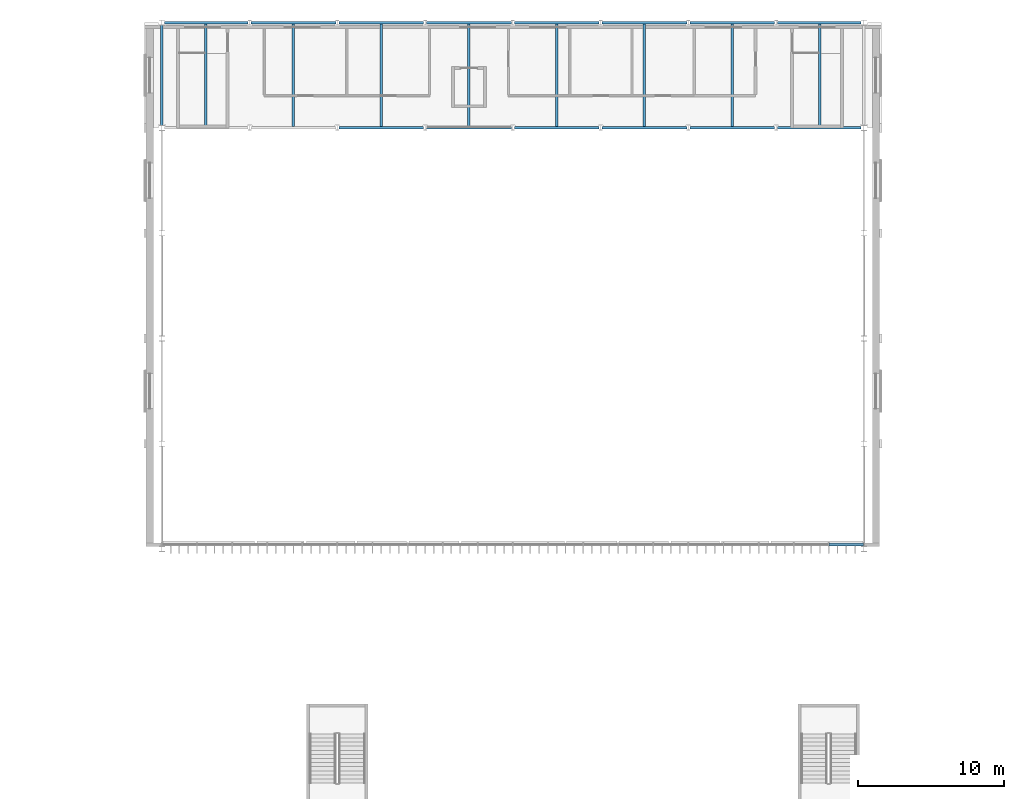
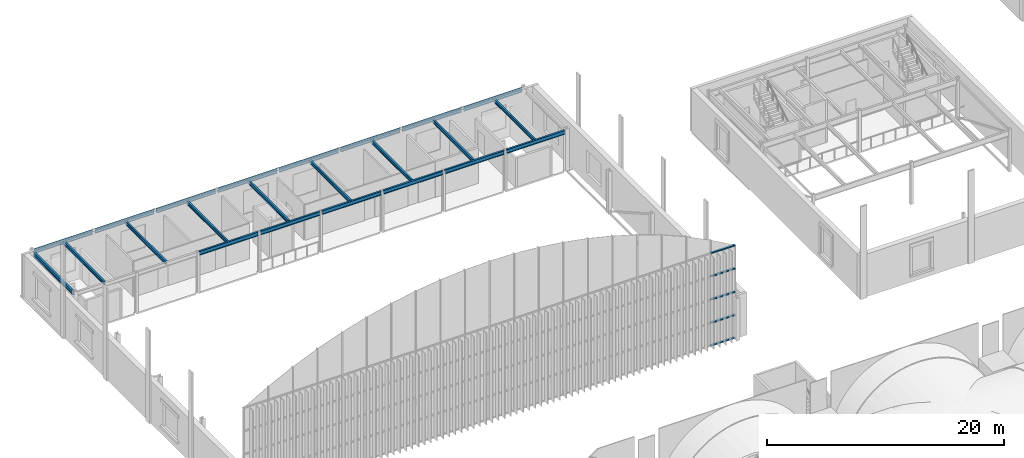
# One storey, part 46 of 169: 23 beams, 5 members, 1 element without a shape of its own.
"""IFC4 building model written with IfcOpenShell, lengths in metres."""

from ifc_helpers import new_model, si_unit, direction, frame, origin, origin_2d, place, context, subcontext, project, spatial, rectangle, i_section, extrude, material, layer, layer_set, material_profile, profile_set, type_object, element, aggregate, save


model = new_model("IFC4")

# Units and contexts
model_context = context("Model", 3, precision=1e-05, world=origin(), true_north=direction((0.0, 1.0)))
body_context = subcontext(model_context, "Body", "Model", "MODEL_VIEW")
ifc_project = project(units=[si_unit("LENGTHUNIT", "METRE"), si_unit("AREAUNIT", "SQUARE_METRE"), si_unit("VOLUMEUNIT", "CUBIC_METRE"), si_unit("PLANEANGLEUNIT", "RADIAN"), si_unit("MASSUNIT", "GRAM", prefix="KILO")], contexts=[model_context])

# Site, building, storey
site_placement = place(None, origin())
site = spatial("IfcSite", under=ifc_project, at=site_placement, CompositionType="ELEMENT")
building_placement = place(site_placement, origin())
building = spatial("IfcBuilding", under=site, at=building_placement, Name="Verrick Yard Athletic Hall", CompositionType="ELEMENT")
storey_placement = place(building_placement, frame((0.0, 0.0, 4.39990234375)))
storey = spatial("IfcBuildingStorey", under=building, at=storey_placement, Name="L01", CompositionType="ELEMENT", Elevation=4.39990234375)

# Curtain wall, members
ifc_material_1 = material(Name="Anodised aluminium", Category="aluminium")
ifc_layer = layer(ifc_material_1, 0.199951171875)
ifc_layer_set = layer_set([ifc_layer], Name="Gable glazing")
curtain_wall_type = type_object("IfcCurtainWallType", Name="Gable glazing", PredefinedType="NOTDEFINED", material=ifc_layer_set)
curtain_wall_placement = place(storey_placement, origin())
curtain_wall = element("IfcCurtainWall", 1, at=curtain_wall_placement, inside=storey, type_object=curtain_wall_type, Name="Gable curtain wall BS", PredefinedType="NOTDEFINED")
ifc_material_profile_1 = material_profile(ifc_material_1, rectangle(XDim=0.199951171875, YDim=0.1201171875, at=origin_2d()), Name="CW gable transom 200x120")
ifc_profile_set_1 = profile_set([ifc_material_profile_1], Name="Anodised aluminium")
member_type = type_object("IfcMemberType", Name="Gable glazing transom 200x120", PredefinedType="USERDEFINED", material=ifc_profile_set_1)
member_1_placement = place(storey_placement, frame((73.6298828125, 72.318359375, 0.06005859375), z_axis=(1.0, 0.0, 0.0), x_axis=(0.0, 1.0, 0.0)))
member_1 = element("IfcMember", 2, at=member_1_placement, type_object=member_type, Name="ENVB-HBS-CW/T19-00", ObjectType="TRANSOM", PredefinedType="USERDEFINED", context=body_context, shape_type="SweptSolid", body=[
    extrude(rectangle(XDim=0.199951171875, YDim=0.1201171875, at=origin_2d()), origin(), (0.0, 0.0, 1.0), 2.340087890625),
])
member_2_placement = place(storey_placement, frame((73.6298828125, 72.318359375, 2.400146484375), z_axis=(1.0, 0.0, 0.0), x_axis=(0.0, 1.0, 0.0)))
member_2 = element("IfcMember", 3, at=member_2_placement, type_object=member_type, Name="ENVB-HBS-CW/T19-01", ObjectType="TRANSOM", PredefinedType="USERDEFINED", context=body_context, shape_type="SweptSolid", body=[
    extrude(rectangle(XDim=0.199951171875, YDim=0.1201171875, at=origin_2d()), origin(), (0.0, 0.0, 1.0), 2.340087890625),
])
member_3_placement = place(storey_placement, frame((73.6298828125, 72.318359375, 4.800048828125), z_axis=(1.0, 0.0, 0.0), x_axis=(0.0, 1.0, 0.0)))
member_3 = element("IfcMember", 4, at=member_3_placement, type_object=member_type, Name="ENVB-HBS-CW/T19-02", ObjectType="TRANSOM", PredefinedType="USERDEFINED", context=body_context, shape_type="SweptSolid", body=[
    extrude(rectangle(XDim=0.199951171875, YDim=0.1201171875, at=origin_2d()), origin(), (0.0, 0.0, 1.0), 2.340087890625),
])
member_4_placement = place(storey_placement, frame((73.6298828125, 72.318359375, 7.2001953125), z_axis=(1.0, 0.0, 0.0), x_axis=(0.0, 1.0, 0.0)))
member_4 = element("IfcMember", 5, at=member_4_placement, type_object=member_type, Name="ENVB-HBS-CW/T19-03", ObjectType="TRANSOM", PredefinedType="USERDEFINED", context=body_context, shape_type="SweptSolid", body=[
    extrude(rectangle(XDim=0.199951171875, YDim=0.1201171875, at=origin_2d()), origin(), (0.0, 0.0, 1.0), 2.340087890625),
])
member_5_placement = place(storey_placement, frame((73.6298828125, 72.318359375, 9.60009765625), z_axis=(1.0, 0.0, 0.0), x_axis=(0.0, 1.0, 0.0)))
member_5 = element("IfcMember", 6, at=member_5_placement, type_object=member_type, Name="ENVB-HBS-CW/T19-04", ObjectType="TRANSOM", PredefinedType="USERDEFINED", context=body_context, shape_type="SweptSolid", body=[
    extrude(rectangle(XDim=0.199951171875, YDim=0.1201171875, at=origin_2d()), origin(), (0.0, 0.0, 1.0), 2.340087890625),
])
aggregate(curtain_wall, [member_1, member_2, member_3, member_4, member_5])

# Beams
ifc_material_2 = material(Name="Structural steel 350W (CSA G40.21)", Category="steel")
ifc_material_profile_2 = material_profile(ifc_material_2, i_section(OverallWidth=0.177978515625, OverallDepth=0.406982421875, WebThickness=0.0078125, FlangeThickness=0.0126953125, at=origin_2d()), Name="W410x60")
ifc_profile_set_2 = profile_set([ifc_material_profile_2], Name="Structural steel 350W (CSA G40.21)")
beam_type_1 = type_object("IfcBeamType", Name="HB girder W410x60", PredefinedType="BEAM", material=ifc_profile_set_2)
for number, where, z_axis, x_axis, name in (
    (7, (40.1025390625, 100.800048828125, 4.046630859375), (1.0, 0.0, 0.0), (0.0, 1.0, 0.0), "HB-GB-B-RF-S3"),
    (8, (46.1025390625, 100.800048828125, 4.046630859375), (1.0, 0.0, 0.0), (0.0, 1.0, 0.0), "HB-GB-B-RF-S4"),
    (9, (52.1025390625, 100.800048828125, 4.046630859375), (1.0, 0.0, 0.0), (0.0, 1.0, 0.0), "HB-GB-B-RF-S5"),
    (10, (58.1025390625, 100.800048828125, 4.046630859375), (1.0, 0.0, 0.0), (0.0, 1.0, 0.0), "HB-GB-B-RF-S6"),
    (11, (64.1025390625, 100.800048828125, 4.046630859375), (1.0, 0.0, 0.0), (0.0, 1.0, 0.0), "HB-GB-B-RF-S7"),
):
    element("IfcBeam", number, at=place(storey_placement, frame(where, z_axis=z_axis, x_axis=x_axis)), inside=storey, type_object=beam_type_1, Name=name, PredefinedType="BEAM", context=body_context, shape_type="SweptSolid", body=[
        extrude(i_section(OverallWidth=0.177978515625, OverallDepth=0.406982421875, WebThickness=0.0078125, FlangeThickness=0.0126953125, at=origin_2d()), origin(), (0.0, 0.0, 1.0), 5.794921875),
    ])
for number, where, z_axis, x_axis, name in (
    (12, (70.1025390625, 100.800048828125, 4.046630859375), (1.0, 0.0, 0.0), (0.0, 1.0, 0.0), "HB-GB-B-RF-S8"),
    (13, (28.1845703125, 108.0, 4.046630859375), (1.0, 0.0, 0.0), (0.0, 1.0, 0.0), "HB-GB-B-RF-N1"),
):
    element("IfcBeam", number, at=place(storey_placement, frame(where, z_axis=z_axis, x_axis=x_axis)), inside=storey, type_object=beam_type_1, Name=name, PredefinedType="BEAM", context=body_context, shape_type="SweptSolid", body=[
        extrude(i_section(OverallWidth=0.177978515625, OverallDepth=0.406982421875, WebThickness=0.0078125, FlangeThickness=0.0126953125, at=origin_2d()), origin(), (0.0, 0.0, 1.0), 5.712890625),
    ])
for number, where, z_axis, x_axis, name in (
    (14, (34.1025390625, 108.0, 4.046630859375), (1.0, 0.0, 0.0), (0.0, 1.0, 0.0), "HB-GB-B-RF-N2"),
    (15, (40.1025390625, 108.0, 4.046630859375), (1.0, 0.0, 0.0), (0.0, 1.0, 0.0), "HB-GB-B-RF-N3"),
    (16, (46.1025390625, 108.0, 4.046630859375), (1.0, 0.0, 0.0), (0.0, 1.0, 0.0), "HB-GB-B-RF-N4"),
    (17, (52.1025390625, 108.0, 4.046630859375), (1.0, 0.0, 0.0), (0.0, 1.0, 0.0), "HB-GB-B-RF-N5"),
    (18, (58.1025390625, 108.0, 4.046630859375), (1.0, 0.0, 0.0), (0.0, 1.0, 0.0), "HB-GB-B-RF-N6"),
    (19, (64.1025390625, 108.0, 4.046630859375), (1.0, 0.0, 0.0), (0.0, 1.0, 0.0), "HB-GB-B-RF-N7"),
):
    element("IfcBeam", number, at=place(storey_placement, frame(where, z_axis=z_axis, x_axis=x_axis)), inside=storey, type_object=beam_type_1, Name=name, PredefinedType="BEAM", context=body_context, shape_type="SweptSolid", body=[
        extrude(i_section(OverallWidth=0.177978515625, OverallDepth=0.406982421875, WebThickness=0.0078125, FlangeThickness=0.0126953125, at=origin_2d()), origin(), (0.0, 0.0, 1.0), 5.794921875),
    ])
beam_1_placement = place(storey_placement, frame((70.1025390625, 108.0, 4.046630859375), z_axis=(1.0, 0.0, 0.0), x_axis=(0.0, 1.0, 0.0)))
element("IfcBeam", 20, at=beam_1_placement, inside=storey, type_object=beam_type_1, Name="HB-GB-B-RF-N8", PredefinedType="BEAM", context=body_context, shape_type="SweptSolid", body=[
    extrude(i_section(OverallWidth=0.177978515625, OverallDepth=0.406982421875, WebThickness=0.0078125, FlangeThickness=0.0126953125, at=origin_2d()), origin(), (0.0, 0.0, 1.0), 5.712890625),
])
beam_2_placement = place(storey_placement, frame((28.0, 100.97802734375, 4.046630859375), z_axis=(0.0, 1.0, 0.0), x_axis=(-1.0, 0.0, 0.0)))
element("IfcBeam", 21, at=beam_2_placement, inside=storey, type_object=beam_type_1, Name="HB-EB-B-RF-W", PredefinedType="BEAM", context=body_context, shape_type="SweptSolid", body=[
    extrude(i_section(OverallWidth=0.177978515625, OverallDepth=0.406982421875, WebThickness=0.0078125, FlangeThickness=0.0126953125, at=origin_2d()), origin(), (0.0, 0.0, 1.0), 6.843994140625),
])
ifc_material_profile_3 = material_profile(ifc_material_2, i_section(OverallWidth=0.1708984375, OverallDepth=0.35498046875, WebThickness=0.007080078125, FlangeThickness=0.01171875, at=origin_2d()), Name="W360x51")
ifc_profile_set_3 = profile_set([ifc_material_profile_3], Name="Structural steel 350W (CSA G40.21)")
beam_type_2 = type_object("IfcBeamType", Name="HB secondary beam W360x51", PredefinedType="JOIST", material=ifc_profile_set_3)
for number, where, z_axis, x_axis, name in (
    (22, (31.0, 100.888916015625, 4.072509765625), (0.0, 1.0, 0.0), (-1.0, 0.0, 0.0), "HB-SB-B-RF-1"),
    (23, (37.0, 100.888916015625, 4.072509765625), (0.0, 1.0, 0.0), (-1.0, 0.0, 0.0), "HB-SB-B-RF-2"),
    (24, (43.0, 100.888916015625, 4.072509765625), (0.0, 1.0, 0.0), (-1.0, 0.0, 0.0), "HB-SB-B-RF-3"),
    (25, (49.0, 100.888916015625, 4.072509765625), (0.0, 1.0, 0.0), (-1.0, 0.0, 0.0), "HB-SB-B-RF-4"),
    (26, (55.0, 100.888916015625, 4.072509765625), (0.0, 1.0, 0.0), (-1.0, 0.0, 0.0), "HB-SB-B-RF-5"),
    (27, (61.0, 100.888916015625, 4.072509765625), (0.0, 1.0, 0.0), (-1.0, 0.0, 0.0), "HB-SB-B-RF-6"),
    (28, (67.0, 100.888916015625, 4.072509765625), (0.0, 1.0, 0.0), (-1.0, 0.0, 0.0), "HB-SB-B-RF-7"),
    (29, (73.0, 100.888916015625, 4.072509765625), (0.0, 1.0, 0.0), (-1.0, 0.0, 0.0), "HB-SB-B-RF-8"),
):
    element("IfcBeam", number, at=place(storey_placement, frame(where, z_axis=z_axis, x_axis=x_axis)), inside=storey, type_object=beam_type_2, Name=name, PredefinedType="JOIST", context=body_context, shape_type="SweptSolid", body=[
        extrude(i_section(OverallWidth=0.1708984375, OverallDepth=0.35498046875, WebThickness=0.007080078125, FlangeThickness=0.01171875, at=origin_2d()), origin(), (0.0, 0.0, 1.0), 7.02197265625),
    ])

save(model, "model.ifc")
